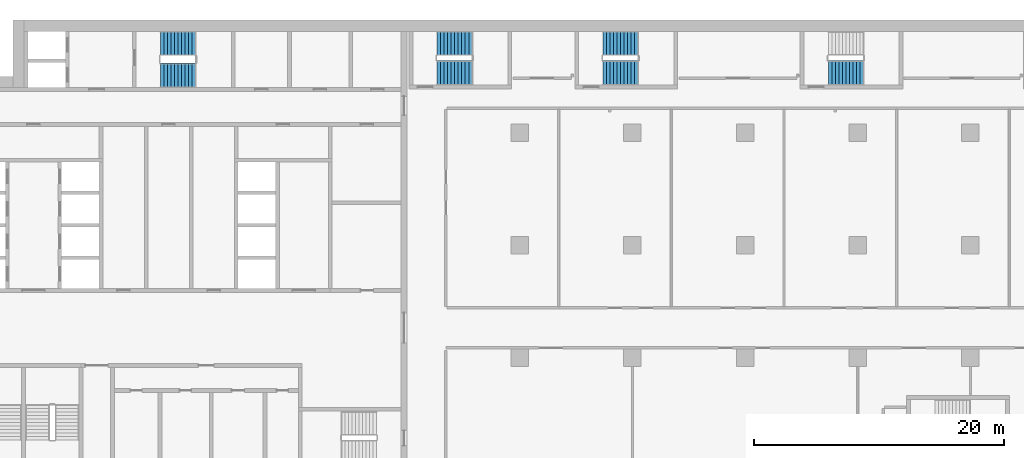
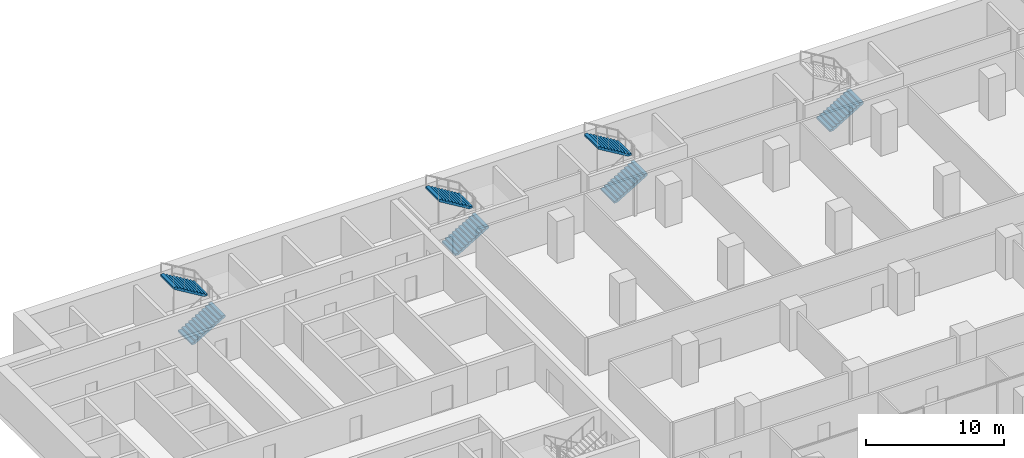
# One storey, part 22 of 29: 7 stair flights, 4 elements without a shape of their own.
"""IFC4 building model written with IfcOpenShell, lengths in metres."""

from ifc_helpers import new_model, si_unit, direction, frame, origin, place, context, subcontext, project, spatial, polyline, outline, extrude, material, type_object, element, aggregate, save


model = new_model("IFC4")

# Units and contexts
model_context = context("Model", 3, precision=1e-05, world=origin(), true_north=direction((0.0, 1.0)))
body_context = subcontext(model_context, "Body", "Model", "MODEL_VIEW")
ifc_project = project(units=[si_unit("LENGTHUNIT", "METRE"), si_unit("AREAUNIT", "SQUARE_METRE"), si_unit("VOLUMEUNIT", "CUBIC_METRE"), si_unit("PLANEANGLEUNIT", "RADIAN"), si_unit("MASSUNIT", "GRAM", prefix="KILO")], contexts=[model_context])

# Site, building, storey
site_placement = place(None, origin())
site = spatial("IfcSite", under=ifc_project, at=site_placement, CompositionType="ELEMENT")
building_placement = place(site_placement, origin())
building = spatial("IfcBuilding", under=site, at=building_placement, Name="Hunhe Ridgeline Campus", CompositionType="ELEMENT")
storey_placement = place(building_placement, frame((0.0, 0.0, 50.60009765625)))
storey = spatial("IfcBuildingStorey", under=building, at=storey_placement, Name="L11", CompositionType="ELEMENT", Elevation=50.60009765625)

# Stair, stair flights
ifc_material = material(Name="Concrete C40", Category="concrete")
stair_type = type_object("IfcStairType", Name="Reinforced concrete dog-leg stair 1950 Concrete C40", PredefinedType="HALF_TURN_STAIR", material=ifc_material)
stair_1_placement = place(storey_placement, origin())
stair_1 = element("IfcStair", 1, at=stair_1_placement, inside=storey, type_object=stair_type, Name="L11 S1", PredefinedType="HALF_TURN_STAIR")
stair_flight_type = type_object("IfcStairFlightType", Name="Reinforced concrete stair flight 1950 Concrete C40", PredefinedType="STRAIGHT", material=ifc_material)
stair_flight_1_placement = place(storey_placement, frame((16.300048828125, 94.574951171875, 0.0), z_axis=(0.0, 0.0, 1.0), x_axis=(1.0, 0.0, 0.0)))
stair_flight_1 = element("IfcStairFlight", 2, at=stair_flight_1_placement, type_object=stair_flight_type, Name="ST1 flight 1", NumberOfRisers=11, NumberOfTreads=10, PredefinedType="STRAIGHT", RiserHeight=0.168181818, TreadLength=0.28, context=body_context, shape_type="SweptSolid", body=[
    extrude(outline(polyline([(0.0, 0.0), (0.0, 0.168212890625), (0.280029296875, 0.168212890625), (0.280029296875, 0.33642578125), (0.56005859375, 0.33642578125), (0.56005859375, 0.504638671875), (0.840087890625, 0.504638671875), (0.840087890625, 0.672607421875), (1.1201171875, 0.672607421875), (1.1201171875, 0.8408203125), (1.39990234375, 0.8408203125), (1.39990234375, 1.009033203125), (1.679931640625, 1.009033203125), (1.679931640625, 1.17724609375), (1.9599609375, 1.17724609375), (1.9599609375, 1.345458984375), (2.239990234375, 1.345458984375), (2.239990234375, 1.513671875), (2.52001953125, 1.513671875), (2.52001953125, 1.681884765625), (2.800048828125, 1.681884765625), (2.800048828125, 1.85009765625), (2.800048828125, 1.5068359375), (0.291015625, 0.0), (0.0, 0.0)])), frame((0.0, 0.97509765625, 0.0), z_axis=(0.0, -1.0, 0.0), x_axis=(1.0, 0.0, 0.0)), (0.0, 0.0, 1.0), 1.949951171875),
    extrude(outline(polyline([(0.030029296875, 0.030029296875), (0.030029296875, 0.13818359375), (0.31005859375, 0.13818359375), (0.31005859375, 0.306396484375), (0.590087890625, 0.306396484375), (0.590087890625, 0.474609375), (0.8701171875, 0.474609375), (0.8701171875, 0.642578125), (1.14990234375, 0.642578125), (1.14990234375, 0.810791015625), (1.429931640625, 0.810791015625), (1.429931640625, 0.97900390625), (1.7099609375, 0.97900390625), (1.7099609375, 1.147216796875), (1.989990234375, 1.147216796875), (1.989990234375, 1.3154296875), (2.27001953125, 1.3154296875), (2.27001953125, 1.483642578125), (2.550048828125, 1.483642578125), (2.550048828125, 1.65185546875), (2.77001953125, 1.65185546875), (2.77001953125, 1.52392578125), (0.28271484375, 0.030029296875), (0.030029296875, 0.030029296875)])), frame((0.0, -0.070068359375, 0.0), z_axis=(0.0, -1.0, 0.0), x_axis=(1.0, 0.0, 0.0)), (0.0, 0.0, 1.0), 0.019775390625),
    extrude(outline(polyline([(0.030029296875, 0.030029296875), (0.030029296875, 0.13818359375), (0.31005859375, 0.13818359375), (0.31005859375, 0.306396484375), (0.590087890625, 0.306396484375), (0.590087890625, 0.474609375), (0.8701171875, 0.474609375), (0.8701171875, 0.642578125), (1.14990234375, 0.642578125), (1.14990234375, 0.810791015625), (1.429931640625, 0.810791015625), (1.429931640625, 0.97900390625), (1.7099609375, 0.97900390625), (1.7099609375, 1.147216796875), (1.989990234375, 1.147216796875), (1.989990234375, 1.3154296875), (2.27001953125, 1.3154296875), (2.27001953125, 1.483642578125), (2.550048828125, 1.483642578125), (2.550048828125, 1.65185546875), (2.77001953125, 1.65185546875), (2.77001953125, 1.52392578125), (0.28271484375, 0.030029296875), (0.030029296875, 0.030029296875)])), frame((0.0, 0.010009765625, 0.0), z_axis=(0.0, -1.0, 0.0), x_axis=(1.0, 0.0, 0.0)), (0.0, 0.0, 1.0), 0.019775390625),
    extrude(outline(polyline([(0.030029296875, 0.030029296875), (0.030029296875, 0.13818359375), (0.31005859375, 0.13818359375), (0.31005859375, 0.306396484375), (0.590087890625, 0.306396484375), (0.590087890625, 0.474609375), (0.8701171875, 0.474609375), (0.8701171875, 0.642578125), (1.14990234375, 0.642578125), (1.14990234375, 0.810791015625), (1.429931640625, 0.810791015625), (1.429931640625, 0.97900390625), (1.7099609375, 0.97900390625), (1.7099609375, 1.147216796875), (1.989990234375, 1.147216796875), (1.989990234375, 1.3154296875), (2.27001953125, 1.3154296875), (2.27001953125, 1.483642578125), (2.550048828125, 1.483642578125), (2.550048828125, 1.65185546875), (2.77001953125, 1.65185546875), (2.77001953125, 1.52392578125), (0.28271484375, 0.030029296875), (0.030029296875, 0.030029296875)])), frame((0.0, 0.090087890625, 0.0), z_axis=(0.0, -1.0, 0.0), x_axis=(1.0, 0.0, 0.0)), (0.0, 0.0, 1.0), 0.019775390625),
])
stair_flight_2_placement = place(storey_placement, frame((19.10009765625, 97.125, 1.849853515625), z_axis=(0.0, 0.0, 1.0), x_axis=(-1.0, 0.0, 0.0)))
stair_flight_2 = element("IfcStairFlight", 3, at=stair_flight_2_placement, type_object=stair_flight_type, Name="ST1 flight 2", NumberOfRisers=11, NumberOfTreads=10, PredefinedType="STRAIGHT", RiserHeight=0.168181818, TreadLength=0.28, context=body_context, shape_type="SweptSolid", body=[
    extrude(outline(polyline([(0.0, 0.0), (0.0, 0.168212890625), (0.280029296875, 0.168212890625), (0.280029296875, 0.33642578125), (0.56005859375, 0.33642578125), (0.56005859375, 0.504638671875), (0.840087890625, 0.504638671875), (0.840087890625, 0.672607421875), (1.1201171875, 0.672607421875), (1.1201171875, 0.8408203125), (1.39990234375, 0.8408203125), (1.39990234375, 1.009033203125), (1.679931640625, 1.009033203125), (1.679931640625, 1.17724609375), (1.9599609375, 1.17724609375), (1.9599609375, 1.345458984375), (2.239990234375, 1.345458984375), (2.239990234375, 1.513671875), (2.52001953125, 1.513671875), (2.52001953125, 1.681884765625), (2.800048828125, 1.681884765625), (2.800048828125, 1.85009765625), (2.800048828125, 1.5068359375), (0.291015625, 0.0), (0.0, 0.0)])), frame((0.0, 0.97509765625, 0.0), z_axis=(0.0, -1.0, 0.0), x_axis=(1.0, 0.0, 0.0)), (0.0, 0.0, 1.0), 1.949951171875),
    extrude(outline(polyline([(0.030029296875, 0.030029296875), (0.030029296875, 0.13818359375), (0.31005859375, 0.13818359375), (0.31005859375, 0.306396484375), (0.590087890625, 0.306396484375), (0.590087890625, 0.474609375), (0.8701171875, 0.474609375), (0.8701171875, 0.642578125), (1.14990234375, 0.642578125), (1.14990234375, 0.810791015625), (1.429931640625, 0.810791015625), (1.429931640625, 0.97900390625), (1.7099609375, 0.97900390625), (1.7099609375, 1.147216796875), (1.989990234375, 1.147216796875), (1.989990234375, 1.3154296875), (2.27001953125, 1.3154296875), (2.27001953125, 1.483642578125), (2.550048828125, 1.483642578125), (2.550048828125, 1.65185546875), (2.77001953125, 1.65185546875), (2.77001953125, 1.52392578125), (0.28271484375, 0.030029296875), (0.030029296875, 0.030029296875)])), frame((0.0, -0.070068359375, 0.0), z_axis=(0.0, -1.0, 0.0), x_axis=(1.0, 0.0, 0.0)), (0.0, 0.0, 1.0), 0.019775390625),
    extrude(outline(polyline([(0.030029296875, 0.030029296875), (0.030029296875, 0.13818359375), (0.31005859375, 0.13818359375), (0.31005859375, 0.306396484375), (0.590087890625, 0.306396484375), (0.590087890625, 0.474609375), (0.8701171875, 0.474609375), (0.8701171875, 0.642578125), (1.14990234375, 0.642578125), (1.14990234375, 0.810791015625), (1.429931640625, 0.810791015625), (1.429931640625, 0.97900390625), (1.7099609375, 0.97900390625), (1.7099609375, 1.147216796875), (1.989990234375, 1.147216796875), (1.989990234375, 1.3154296875), (2.27001953125, 1.3154296875), (2.27001953125, 1.483642578125), (2.550048828125, 1.483642578125), (2.550048828125, 1.65185546875), (2.77001953125, 1.65185546875), (2.77001953125, 1.52392578125), (0.28271484375, 0.030029296875), (0.030029296875, 0.030029296875)])), frame((0.0, 0.010009765625, 0.0), z_axis=(0.0, -1.0, 0.0), x_axis=(1.0, 0.0, 0.0)), (0.0, 0.0, 1.0), 0.019775390625),
    extrude(outline(polyline([(0.030029296875, 0.030029296875), (0.030029296875, 0.13818359375), (0.31005859375, 0.13818359375), (0.31005859375, 0.306396484375), (0.590087890625, 0.306396484375), (0.590087890625, 0.474609375), (0.8701171875, 0.474609375), (0.8701171875, 0.642578125), (1.14990234375, 0.642578125), (1.14990234375, 0.810791015625), (1.429931640625, 0.810791015625), (1.429931640625, 0.97900390625), (1.7099609375, 0.97900390625), (1.7099609375, 1.147216796875), (1.989990234375, 1.147216796875), (1.989990234375, 1.3154296875), (2.27001953125, 1.3154296875), (2.27001953125, 1.483642578125), (2.550048828125, 1.483642578125), (2.550048828125, 1.65185546875), (2.77001953125, 1.65185546875), (2.77001953125, 1.52392578125), (0.28271484375, 0.030029296875), (0.030029296875, 0.030029296875)])), frame((0.0, 0.090087890625, 0.0), z_axis=(0.0, -1.0, 0.0), x_axis=(1.0, 0.0, 0.0)), (0.0, 0.0, 1.0), 0.019775390625),
])
aggregate(stair_1, [stair_flight_1, stair_flight_2])

stair_2_placement = place(storey_placement, origin())
stair_2 = element("IfcStair", 4, at=stair_2_placement, inside=storey, type_object=stair_type, Name="L11 E1", PredefinedType="HALF_TURN_STAIR")
stair_flight_3_placement = place(storey_placement, frame((38.39990234375, 94.77490234375, 0.0), z_axis=(0.0, 0.0, 1.0), x_axis=(1.0, 0.0, 0.0)))
stair_flight_3 = element("IfcStairFlight", 5, at=stair_flight_3_placement, type_object=stair_flight_type, Name="ST5 flight 1", NumberOfRisers=11, NumberOfTreads=10, PredefinedType="STRAIGHT", RiserHeight=0.168181818, TreadLength=0.28, context=body_context, shape_type="SweptSolid", body=[
    extrude(outline(polyline([(0.0, 0.0), (0.0, 0.168212890625), (0.280029296875, 0.168212890625), (0.280029296875, 0.33642578125), (0.56005859375, 0.33642578125), (0.56005859375, 0.504638671875), (0.840087890625, 0.504638671875), (0.840087890625, 0.672607421875), (1.1201171875, 0.672607421875), (1.1201171875, 0.8408203125), (1.39990234375, 0.8408203125), (1.39990234375, 1.009033203125), (1.679931640625, 1.009033203125), (1.679931640625, 1.17724609375), (1.9599609375, 1.17724609375), (1.9599609375, 1.345458984375), (2.239990234375, 1.345458984375), (2.239990234375, 1.513671875), (2.52001953125, 1.513671875), (2.52001953125, 1.681884765625), (2.800048828125, 1.681884765625), (2.800048828125, 1.85009765625), (2.800048828125, 1.5068359375), (0.291015625, 0.0), (0.0, 0.0)])), frame((0.0, 0.97509765625, 0.0), z_axis=(0.0, -1.0, 0.0), x_axis=(1.0, 0.0, 0.0)), (0.0, 0.0, 1.0), 1.949951171875),
    extrude(outline(polyline([(0.030029296875, 0.030029296875), (0.030029296875, 0.13818359375), (0.31005859375, 0.13818359375), (0.31005859375, 0.306396484375), (0.590087890625, 0.306396484375), (0.590087890625, 0.474609375), (0.8701171875, 0.474609375), (0.8701171875, 0.642578125), (1.14990234375, 0.642578125), (1.14990234375, 0.810791015625), (1.429931640625, 0.810791015625), (1.429931640625, 0.97900390625), (1.7099609375, 0.97900390625), (1.7099609375, 1.147216796875), (1.989990234375, 1.147216796875), (1.989990234375, 1.3154296875), (2.27001953125, 1.3154296875), (2.27001953125, 1.483642578125), (2.550048828125, 1.483642578125), (2.550048828125, 1.65185546875), (2.77001953125, 1.65185546875), (2.77001953125, 1.52392578125), (0.28271484375, 0.030029296875), (0.030029296875, 0.030029296875)])), frame((0.0, -0.070068359375, 0.0), z_axis=(0.0, -1.0, 0.0), x_axis=(1.0, 0.0, 0.0)), (0.0, 0.0, 1.0), 0.019775390625),
    extrude(outline(polyline([(0.030029296875, 0.030029296875), (0.030029296875, 0.13818359375), (0.31005859375, 0.13818359375), (0.31005859375, 0.306396484375), (0.590087890625, 0.306396484375), (0.590087890625, 0.474609375), (0.8701171875, 0.474609375), (0.8701171875, 0.642578125), (1.14990234375, 0.642578125), (1.14990234375, 0.810791015625), (1.429931640625, 0.810791015625), (1.429931640625, 0.97900390625), (1.7099609375, 0.97900390625), (1.7099609375, 1.147216796875), (1.989990234375, 1.147216796875), (1.989990234375, 1.3154296875), (2.27001953125, 1.3154296875), (2.27001953125, 1.483642578125), (2.550048828125, 1.483642578125), (2.550048828125, 1.65185546875), (2.77001953125, 1.65185546875), (2.77001953125, 1.52392578125), (0.28271484375, 0.030029296875), (0.030029296875, 0.030029296875)])), frame((0.0, 0.010009765625, 0.0), z_axis=(0.0, -1.0, 0.0), x_axis=(1.0, 0.0, 0.0)), (0.0, 0.0, 1.0), 0.019775390625),
    extrude(outline(polyline([(0.030029296875, 0.030029296875), (0.030029296875, 0.13818359375), (0.31005859375, 0.13818359375), (0.31005859375, 0.306396484375), (0.590087890625, 0.306396484375), (0.590087890625, 0.474609375), (0.8701171875, 0.474609375), (0.8701171875, 0.642578125), (1.14990234375, 0.642578125), (1.14990234375, 0.810791015625), (1.429931640625, 0.810791015625), (1.429931640625, 0.97900390625), (1.7099609375, 0.97900390625), (1.7099609375, 1.147216796875), (1.989990234375, 1.147216796875), (1.989990234375, 1.3154296875), (2.27001953125, 1.3154296875), (2.27001953125, 1.483642578125), (2.550048828125, 1.483642578125), (2.550048828125, 1.65185546875), (2.77001953125, 1.65185546875), (2.77001953125, 1.52392578125), (0.28271484375, 0.030029296875), (0.030029296875, 0.030029296875)])), frame((0.0, 0.090087890625, 0.0), z_axis=(0.0, -1.0, 0.0), x_axis=(1.0, 0.0, 0.0)), (0.0, 0.0, 1.0), 0.019775390625),
])
stair_flight_4_placement = place(storey_placement, frame((41.199951171875, 97.125, 1.849853515625), z_axis=(0.0, 0.0, 1.0), x_axis=(-1.0, 0.0, 0.0)))
stair_flight_4 = element("IfcStairFlight", 6, at=stair_flight_4_placement, type_object=stair_flight_type, Name="ST5 flight 2", NumberOfRisers=11, NumberOfTreads=10, PredefinedType="STRAIGHT", RiserHeight=0.168181818, TreadLength=0.28, context=body_context, shape_type="SweptSolid", body=[
    extrude(outline(polyline([(0.0, 0.0), (0.0, 0.168212890625), (0.280029296875, 0.168212890625), (0.280029296875, 0.33642578125), (0.56005859375, 0.33642578125), (0.56005859375, 0.504638671875), (0.840087890625, 0.504638671875), (0.840087890625, 0.672607421875), (1.1201171875, 0.672607421875), (1.1201171875, 0.8408203125), (1.39990234375, 0.8408203125), (1.39990234375, 1.009033203125), (1.679931640625, 1.009033203125), (1.679931640625, 1.17724609375), (1.9599609375, 1.17724609375), (1.9599609375, 1.345458984375), (2.239990234375, 1.345458984375), (2.239990234375, 1.513671875), (2.52001953125, 1.513671875), (2.52001953125, 1.681884765625), (2.800048828125, 1.681884765625), (2.800048828125, 1.85009765625), (2.800048828125, 1.5068359375), (0.291015625, 0.0), (0.0, 0.0)])), frame((0.0, 0.97509765625, 0.0), z_axis=(0.0, -1.0, 0.0), x_axis=(1.0, 0.0, 0.0)), (0.0, 0.0, 1.0), 1.949951171875),
    extrude(outline(polyline([(0.030029296875, 0.030029296875), (0.030029296875, 0.13818359375), (0.31005859375, 0.13818359375), (0.31005859375, 0.306396484375), (0.590087890625, 0.306396484375), (0.590087890625, 0.474609375), (0.8701171875, 0.474609375), (0.8701171875, 0.642578125), (1.14990234375, 0.642578125), (1.14990234375, 0.810791015625), (1.429931640625, 0.810791015625), (1.429931640625, 0.97900390625), (1.7099609375, 0.97900390625), (1.7099609375, 1.147216796875), (1.989990234375, 1.147216796875), (1.989990234375, 1.3154296875), (2.27001953125, 1.3154296875), (2.27001953125, 1.483642578125), (2.550048828125, 1.483642578125), (2.550048828125, 1.65185546875), (2.77001953125, 1.65185546875), (2.77001953125, 1.52392578125), (0.28271484375, 0.030029296875), (0.030029296875, 0.030029296875)])), frame((0.0, -0.070068359375, 0.0), z_axis=(0.0, -1.0, 0.0), x_axis=(1.0, 0.0, 0.0)), (0.0, 0.0, 1.0), 0.019775390625),
    extrude(outline(polyline([(0.030029296875, 0.030029296875), (0.030029296875, 0.13818359375), (0.31005859375, 0.13818359375), (0.31005859375, 0.306396484375), (0.590087890625, 0.306396484375), (0.590087890625, 0.474609375), (0.8701171875, 0.474609375), (0.8701171875, 0.642578125), (1.14990234375, 0.642578125), (1.14990234375, 0.810791015625), (1.429931640625, 0.810791015625), (1.429931640625, 0.97900390625), (1.7099609375, 0.97900390625), (1.7099609375, 1.147216796875), (1.989990234375, 1.147216796875), (1.989990234375, 1.3154296875), (2.27001953125, 1.3154296875), (2.27001953125, 1.483642578125), (2.550048828125, 1.483642578125), (2.550048828125, 1.65185546875), (2.77001953125, 1.65185546875), (2.77001953125, 1.52392578125), (0.28271484375, 0.030029296875), (0.030029296875, 0.030029296875)])), frame((0.0, 0.010009765625, 0.0), z_axis=(0.0, -1.0, 0.0), x_axis=(1.0, 0.0, 0.0)), (0.0, 0.0, 1.0), 0.019775390625),
    extrude(outline(polyline([(0.030029296875, 0.030029296875), (0.030029296875, 0.13818359375), (0.31005859375, 0.13818359375), (0.31005859375, 0.306396484375), (0.590087890625, 0.306396484375), (0.590087890625, 0.474609375), (0.8701171875, 0.474609375), (0.8701171875, 0.642578125), (1.14990234375, 0.642578125), (1.14990234375, 0.810791015625), (1.429931640625, 0.810791015625), (1.429931640625, 0.97900390625), (1.7099609375, 0.97900390625), (1.7099609375, 1.147216796875), (1.989990234375, 1.147216796875), (1.989990234375, 1.3154296875), (2.27001953125, 1.3154296875), (2.27001953125, 1.483642578125), (2.550048828125, 1.483642578125), (2.550048828125, 1.65185546875), (2.77001953125, 1.65185546875), (2.77001953125, 1.52392578125), (0.28271484375, 0.030029296875), (0.030029296875, 0.030029296875)])), frame((0.0, 0.090087890625, 0.0), z_axis=(0.0, -1.0, 0.0), x_axis=(1.0, 0.0, 0.0)), (0.0, 0.0, 1.0), 0.019775390625),
])
aggregate(stair_2, [stair_flight_3, stair_flight_4])

stair_3_placement = place(storey_placement, origin())
stair_3 = element("IfcStair", 7, at=stair_3_placement, inside=storey, type_object=stair_type, Name="L11 E2", PredefinedType="HALF_TURN_STAIR")
stair_flight_5_placement = place(storey_placement, frame((51.64990234375, 94.77490234375, 0.0), z_axis=(0.0, 0.0, 1.0), x_axis=(1.0, 0.0, 0.0)))
stair_flight_5 = element("IfcStairFlight", 8, at=stair_flight_5_placement, type_object=stair_flight_type, Name="ST6 flight 1", NumberOfRisers=11, NumberOfTreads=10, PredefinedType="STRAIGHT", RiserHeight=0.168181818, TreadLength=0.28, context=body_context, shape_type="SweptSolid", body=[
    extrude(outline(polyline([(0.0, 0.0), (0.0, 0.168212890625), (0.280029296875, 0.168212890625), (0.280029296875, 0.33642578125), (0.56005859375, 0.33642578125), (0.56005859375, 0.504638671875), (0.840087890625, 0.504638671875), (0.840087890625, 0.672607421875), (1.1201171875, 0.672607421875), (1.1201171875, 0.8408203125), (1.39990234375, 0.8408203125), (1.39990234375, 1.009033203125), (1.679931640625, 1.009033203125), (1.679931640625, 1.17724609375), (1.9599609375, 1.17724609375), (1.9599609375, 1.345458984375), (2.239990234375, 1.345458984375), (2.239990234375, 1.513671875), (2.52001953125, 1.513671875), (2.52001953125, 1.681884765625), (2.800048828125, 1.681884765625), (2.800048828125, 1.85009765625), (2.800048828125, 1.5068359375), (0.291015625, 0.0), (0.0, 0.0)])), frame((0.0, 0.97509765625, 0.0), z_axis=(0.0, -1.0, 0.0), x_axis=(1.0, 0.0, 0.0)), (0.0, 0.0, 1.0), 1.949951171875),
    extrude(outline(polyline([(0.030029296875, 0.030029296875), (0.030029296875, 0.13818359375), (0.31005859375, 0.13818359375), (0.31005859375, 0.306396484375), (0.590087890625, 0.306396484375), (0.590087890625, 0.474609375), (0.8701171875, 0.474609375), (0.8701171875, 0.642578125), (1.14990234375, 0.642578125), (1.14990234375, 0.810791015625), (1.429931640625, 0.810791015625), (1.429931640625, 0.97900390625), (1.7099609375, 0.97900390625), (1.7099609375, 1.147216796875), (1.989990234375, 1.147216796875), (1.989990234375, 1.3154296875), (2.27001953125, 1.3154296875), (2.27001953125, 1.483642578125), (2.550048828125, 1.483642578125), (2.550048828125, 1.65185546875), (2.77001953125, 1.65185546875), (2.77001953125, 1.52392578125), (0.28271484375, 0.030029296875), (0.030029296875, 0.030029296875)])), frame((0.0, -0.070068359375, 0.0), z_axis=(0.0, -1.0, 0.0), x_axis=(1.0, 0.0, 0.0)), (0.0, 0.0, 1.0), 0.019775390625),
    extrude(outline(polyline([(0.030029296875, 0.030029296875), (0.030029296875, 0.13818359375), (0.31005859375, 0.13818359375), (0.31005859375, 0.306396484375), (0.590087890625, 0.306396484375), (0.590087890625, 0.474609375), (0.8701171875, 0.474609375), (0.8701171875, 0.642578125), (1.14990234375, 0.642578125), (1.14990234375, 0.810791015625), (1.429931640625, 0.810791015625), (1.429931640625, 0.97900390625), (1.7099609375, 0.97900390625), (1.7099609375, 1.147216796875), (1.989990234375, 1.147216796875), (1.989990234375, 1.3154296875), (2.27001953125, 1.3154296875), (2.27001953125, 1.483642578125), (2.550048828125, 1.483642578125), (2.550048828125, 1.65185546875), (2.77001953125, 1.65185546875), (2.77001953125, 1.52392578125), (0.28271484375, 0.030029296875), (0.030029296875, 0.030029296875)])), frame((0.0, 0.010009765625, 0.0), z_axis=(0.0, -1.0, 0.0), x_axis=(1.0, 0.0, 0.0)), (0.0, 0.0, 1.0), 0.019775390625),
    extrude(outline(polyline([(0.030029296875, 0.030029296875), (0.030029296875, 0.13818359375), (0.31005859375, 0.13818359375), (0.31005859375, 0.306396484375), (0.590087890625, 0.306396484375), (0.590087890625, 0.474609375), (0.8701171875, 0.474609375), (0.8701171875, 0.642578125), (1.14990234375, 0.642578125), (1.14990234375, 0.810791015625), (1.429931640625, 0.810791015625), (1.429931640625, 0.97900390625), (1.7099609375, 0.97900390625), (1.7099609375, 1.147216796875), (1.989990234375, 1.147216796875), (1.989990234375, 1.3154296875), (2.27001953125, 1.3154296875), (2.27001953125, 1.483642578125), (2.550048828125, 1.483642578125), (2.550048828125, 1.65185546875), (2.77001953125, 1.65185546875), (2.77001953125, 1.52392578125), (0.28271484375, 0.030029296875), (0.030029296875, 0.030029296875)])), frame((0.0, 0.090087890625, 0.0), z_axis=(0.0, -1.0, 0.0), x_axis=(1.0, 0.0, 0.0)), (0.0, 0.0, 1.0), 0.019775390625),
])
stair_flight_6_placement = place(storey_placement, frame((54.449951171875, 97.125, 1.849853515625), z_axis=(0.0, 0.0, 1.0), x_axis=(-1.0, 0.0, 0.0)))
stair_flight_6 = element("IfcStairFlight", 9, at=stair_flight_6_placement, type_object=stair_flight_type, Name="ST6 flight 2", NumberOfRisers=11, NumberOfTreads=10, PredefinedType="STRAIGHT", RiserHeight=0.168181818, TreadLength=0.28, context=body_context, shape_type="SweptSolid", body=[
    extrude(outline(polyline([(0.0, 0.0), (0.0, 0.168212890625), (0.280029296875, 0.168212890625), (0.280029296875, 0.33642578125), (0.56005859375, 0.33642578125), (0.56005859375, 0.504638671875), (0.840087890625, 0.504638671875), (0.840087890625, 0.672607421875), (1.1201171875, 0.672607421875), (1.1201171875, 0.8408203125), (1.39990234375, 0.8408203125), (1.39990234375, 1.009033203125), (1.679931640625, 1.009033203125), (1.679931640625, 1.17724609375), (1.9599609375, 1.17724609375), (1.9599609375, 1.345458984375), (2.239990234375, 1.345458984375), (2.239990234375, 1.513671875), (2.52001953125, 1.513671875), (2.52001953125, 1.681884765625), (2.800048828125, 1.681884765625), (2.800048828125, 1.85009765625), (2.800048828125, 1.5068359375), (0.291015625, 0.0), (0.0, 0.0)])), frame((0.0, 0.97509765625, 0.0), z_axis=(0.0, -1.0, 0.0), x_axis=(1.0, 0.0, 0.0)), (0.0, 0.0, 1.0), 1.949951171875),
    extrude(outline(polyline([(0.030029296875, 0.030029296875), (0.030029296875, 0.13818359375), (0.31005859375, 0.13818359375), (0.31005859375, 0.306396484375), (0.590087890625, 0.306396484375), (0.590087890625, 0.474609375), (0.8701171875, 0.474609375), (0.8701171875, 0.642578125), (1.14990234375, 0.642578125), (1.14990234375, 0.810791015625), (1.429931640625, 0.810791015625), (1.429931640625, 0.97900390625), (1.7099609375, 0.97900390625), (1.7099609375, 1.147216796875), (1.989990234375, 1.147216796875), (1.989990234375, 1.3154296875), (2.27001953125, 1.3154296875), (2.27001953125, 1.483642578125), (2.550048828125, 1.483642578125), (2.550048828125, 1.65185546875), (2.77001953125, 1.65185546875), (2.77001953125, 1.52392578125), (0.28271484375, 0.030029296875), (0.030029296875, 0.030029296875)])), frame((0.0, -0.070068359375, 0.0), z_axis=(0.0, -1.0, 0.0), x_axis=(1.0, 0.0, 0.0)), (0.0, 0.0, 1.0), 0.019775390625),
    extrude(outline(polyline([(0.030029296875, 0.030029296875), (0.030029296875, 0.13818359375), (0.31005859375, 0.13818359375), (0.31005859375, 0.306396484375), (0.590087890625, 0.306396484375), (0.590087890625, 0.474609375), (0.8701171875, 0.474609375), (0.8701171875, 0.642578125), (1.14990234375, 0.642578125), (1.14990234375, 0.810791015625), (1.429931640625, 0.810791015625), (1.429931640625, 0.97900390625), (1.7099609375, 0.97900390625), (1.7099609375, 1.147216796875), (1.989990234375, 1.147216796875), (1.989990234375, 1.3154296875), (2.27001953125, 1.3154296875), (2.27001953125, 1.483642578125), (2.550048828125, 1.483642578125), (2.550048828125, 1.65185546875), (2.77001953125, 1.65185546875), (2.77001953125, 1.52392578125), (0.28271484375, 0.030029296875), (0.030029296875, 0.030029296875)])), frame((0.0, 0.010009765625, 0.0), z_axis=(0.0, -1.0, 0.0), x_axis=(1.0, 0.0, 0.0)), (0.0, 0.0, 1.0), 0.019775390625),
    extrude(outline(polyline([(0.030029296875, 0.030029296875), (0.030029296875, 0.13818359375), (0.31005859375, 0.13818359375), (0.31005859375, 0.306396484375), (0.590087890625, 0.306396484375), (0.590087890625, 0.474609375), (0.8701171875, 0.474609375), (0.8701171875, 0.642578125), (1.14990234375, 0.642578125), (1.14990234375, 0.810791015625), (1.429931640625, 0.810791015625), (1.429931640625, 0.97900390625), (1.7099609375, 0.97900390625), (1.7099609375, 1.147216796875), (1.989990234375, 1.147216796875), (1.989990234375, 1.3154296875), (2.27001953125, 1.3154296875), (2.27001953125, 1.483642578125), (2.550048828125, 1.483642578125), (2.550048828125, 1.65185546875), (2.77001953125, 1.65185546875), (2.77001953125, 1.52392578125), (0.28271484375, 0.030029296875), (0.030029296875, 0.030029296875)])), frame((0.0, 0.090087890625, 0.0), z_axis=(0.0, -1.0, 0.0), x_axis=(1.0, 0.0, 0.0)), (0.0, 0.0, 1.0), 0.019775390625),
])
aggregate(stair_3, [stair_flight_5, stair_flight_6])

# Stair, stair flight
stair_4_placement = place(storey_placement, origin())
stair_4 = element("IfcStair", 10, at=stair_4_placement, inside=storey, type_object=stair_type, Name="L11 E3", PredefinedType="HALF_TURN_STAIR")
stair_flight_7_placement = place(storey_placement, frame((69.64990234375, 94.77490234375, 0.0), z_axis=(0.0, 0.0, 1.0), x_axis=(1.0, 0.0, 0.0)))
stair_flight_7 = element("IfcStairFlight", 11, at=stair_flight_7_placement, type_object=stair_flight_type, Name="ST7 flight 1", NumberOfRisers=11, NumberOfTreads=10, PredefinedType="STRAIGHT", RiserHeight=0.168181818, TreadLength=0.28, context=body_context, shape_type="SweptSolid", body=[
    extrude(outline(polyline([(0.0, 0.0), (0.0, 0.168212890625), (0.280029296875, 0.168212890625), (0.280029296875, 0.33642578125), (0.56005859375, 0.33642578125), (0.56005859375, 0.504638671875), (0.840087890625, 0.504638671875), (0.840087890625, 0.672607421875), (1.1201171875, 0.672607421875), (1.1201171875, 0.8408203125), (1.39990234375, 0.8408203125), (1.39990234375, 1.009033203125), (1.679931640625, 1.009033203125), (1.679931640625, 1.17724609375), (1.9599609375, 1.17724609375), (1.9599609375, 1.345458984375), (2.239990234375, 1.345458984375), (2.239990234375, 1.513671875), (2.52001953125, 1.513671875), (2.52001953125, 1.681884765625), (2.800048828125, 1.681884765625), (2.800048828125, 1.85009765625), (2.800048828125, 1.5068359375), (0.291015625, 0.0), (0.0, 0.0)])), frame((0.0, 0.97509765625, 0.0), z_axis=(0.0, -1.0, 0.0), x_axis=(1.0, 0.0, 0.0)), (0.0, 0.0, 1.0), 1.949951171875),
    extrude(outline(polyline([(0.030029296875, 0.030029296875), (0.030029296875, 0.13818359375), (0.31005859375, 0.13818359375), (0.31005859375, 0.306396484375), (0.590087890625, 0.306396484375), (0.590087890625, 0.474609375), (0.8701171875, 0.474609375), (0.8701171875, 0.642578125), (1.14990234375, 0.642578125), (1.14990234375, 0.810791015625), (1.429931640625, 0.810791015625), (1.429931640625, 0.97900390625), (1.7099609375, 0.97900390625), (1.7099609375, 1.147216796875), (1.989990234375, 1.147216796875), (1.989990234375, 1.3154296875), (2.27001953125, 1.3154296875), (2.27001953125, 1.483642578125), (2.550048828125, 1.483642578125), (2.550048828125, 1.65185546875), (2.77001953125, 1.65185546875), (2.77001953125, 1.52392578125), (0.28271484375, 0.030029296875), (0.030029296875, 0.030029296875)])), frame((0.0, -0.070068359375, 0.0), z_axis=(0.0, -1.0, 0.0), x_axis=(1.0, 0.0, 0.0)), (0.0, 0.0, 1.0), 0.019775390625),
    extrude(outline(polyline([(0.030029296875, 0.030029296875), (0.030029296875, 0.13818359375), (0.31005859375, 0.13818359375), (0.31005859375, 0.306396484375), (0.590087890625, 0.306396484375), (0.590087890625, 0.474609375), (0.8701171875, 0.474609375), (0.8701171875, 0.642578125), (1.14990234375, 0.642578125), (1.14990234375, 0.810791015625), (1.429931640625, 0.810791015625), (1.429931640625, 0.97900390625), (1.7099609375, 0.97900390625), (1.7099609375, 1.147216796875), (1.989990234375, 1.147216796875), (1.989990234375, 1.3154296875), (2.27001953125, 1.3154296875), (2.27001953125, 1.483642578125), (2.550048828125, 1.483642578125), (2.550048828125, 1.65185546875), (2.77001953125, 1.65185546875), (2.77001953125, 1.52392578125), (0.28271484375, 0.030029296875), (0.030029296875, 0.030029296875)])), frame((0.0, 0.010009765625, 0.0), z_axis=(0.0, -1.0, 0.0), x_axis=(1.0, 0.0, 0.0)), (0.0, 0.0, 1.0), 0.019775390625),
    extrude(outline(polyline([(0.030029296875, 0.030029296875), (0.030029296875, 0.13818359375), (0.31005859375, 0.13818359375), (0.31005859375, 0.306396484375), (0.590087890625, 0.306396484375), (0.590087890625, 0.474609375), (0.8701171875, 0.474609375), (0.8701171875, 0.642578125), (1.14990234375, 0.642578125), (1.14990234375, 0.810791015625), (1.429931640625, 0.810791015625), (1.429931640625, 0.97900390625), (1.7099609375, 0.97900390625), (1.7099609375, 1.147216796875), (1.989990234375, 1.147216796875), (1.989990234375, 1.3154296875), (2.27001953125, 1.3154296875), (2.27001953125, 1.483642578125), (2.550048828125, 1.483642578125), (2.550048828125, 1.65185546875), (2.77001953125, 1.65185546875), (2.77001953125, 1.52392578125), (0.28271484375, 0.030029296875), (0.030029296875, 0.030029296875)])), frame((0.0, 0.090087890625, 0.0), z_axis=(0.0, -1.0, 0.0), x_axis=(1.0, 0.0, 0.0)), (0.0, 0.0, 1.0), 0.019775390625),
])
aggregate(stair_4, [stair_flight_7])

save(model, "model.ifc")
